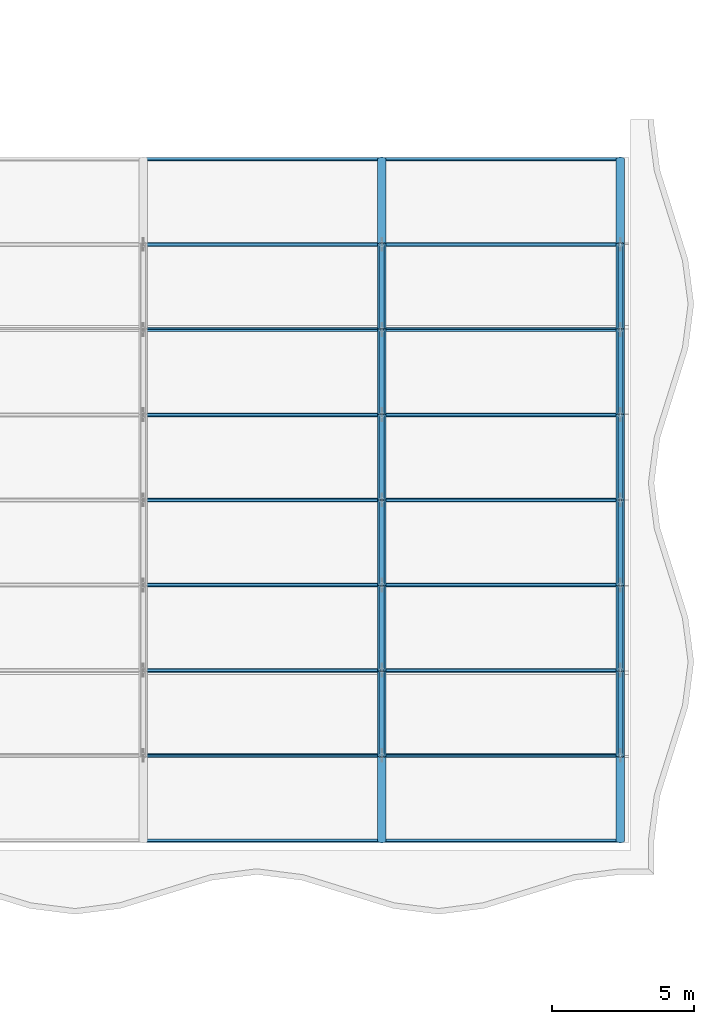
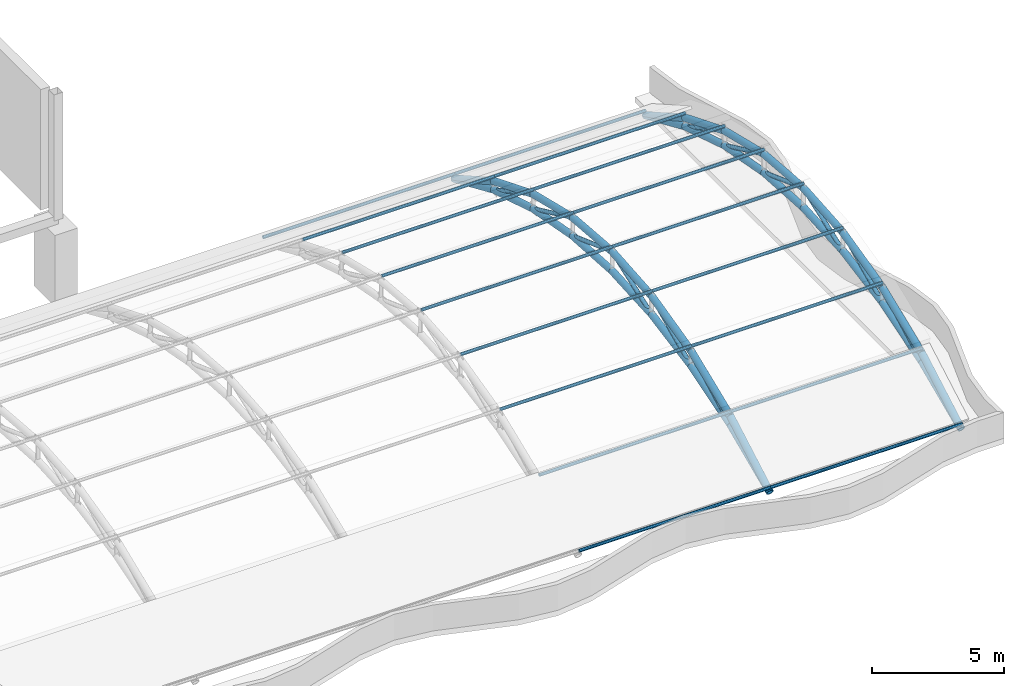
# One storey, part 64 of 163: 62 members.
"""IFC4 building model written with IfcOpenShell, lengths in metres."""

from ifc_helpers import new_model, si_unit, direction, frame, origin, origin_2d, place, context, subcontext, project, spatial, hollow_circle, extrude, material, material_profile, profile_set, type_object, element, save


model = new_model("IFC4")

# Units and contexts
model_context = context("Model", 3, precision=1e-05, world=origin(), true_north=direction((0.0, 1.0)))
body_context = subcontext(model_context, "Body", "Model", "MODEL_VIEW")
ifc_project = project(units=[si_unit("LENGTHUNIT", "METRE"), si_unit("AREAUNIT", "SQUARE_METRE"), si_unit("VOLUMEUNIT", "CUBIC_METRE"), si_unit("PLANEANGLEUNIT", "RADIAN"), si_unit("MASSUNIT", "GRAM", prefix="KILO")], contexts=[model_context])

# Site, building, storey
site_placement = place(None, origin())
site = spatial("IfcSite", under=ifc_project, at=site_placement, CompositionType="ELEMENT")
building_placement = place(site_placement, origin())
building = spatial("IfcBuilding", under=site, at=building_placement, Name="Rain Tree Exposition and Congress Centre", CompositionType="ELEMENT")
storey_placement = place(building_placement, frame((0.0, 0.0, 10.5)))
storey = spatial("IfcBuildingStorey", under=building, at=storey_placement, Name="L02", CompositionType="ELEMENT", Elevation=10.5)

# Members
ifc_material_1 = material(Name="Steel S355J2H", Category="steel")
ifc_material_profile_1 = material_profile(ifc_material_1, hollow_circle(Radius=0.090087890625, WallThickness=0.008056640625, at=origin_2d()), Name="CHS 180x8")
ifc_profile_set_1 = profile_set([ifc_material_profile_1], Name="Steel S355J2H")
member_type_1 = type_object("IfcMemberType", Name="Steel brace member CHS 180x8", PredefinedType="BRACE", material=ifc_profile_set_1)
member_1_placement = place(storey_placement, frame((260.39990234375, 78.60009765625, 1.4423828125), z_axis=(0.0, 0.880818418444, 0.473454236151), x_axis=(-1.0, 0.0, 0.0)))
element("IfcMember", 1, at=member_1_placement, inside=storey, type_object=member_type_1, Name="Roof truss 32 diagonal 1", PredefinedType="BRACE", context=body_context, shape_type="SweptSolid", body=[
    extrude(hollow_circle(Radius=0.090087890625, WallThickness=0.008056640625, at=origin_2d()), origin(), (0.0, 0.0, 1.0), 3.406005859375),
])
member_2_placement = place(storey_placement, frame((260.39990234375, 81.60009765625, 2.3798828125), z_axis=(0.0, 0.905430616583, 0.424494285655), x_axis=(-1.0, 0.0, 0.0)))
element("IfcMember", 2, at=member_2_placement, inside=storey, type_object=member_type_1, Name="Roof truss 32 diagonal 2", PredefinedType="BRACE", context=body_context, shape_type="SweptSolid", body=[
    extrude(hollow_circle(Radius=0.090087890625, WallThickness=0.008056640625, at=origin_2d()), origin(), (0.0, 0.0, 1.0), 3.313232421875),
])
for number, where, z_axis, x_axis, name in (
    (3, (260.39990234375, 84.60009765625, 2.9423828125), (0.0, 0.940121356633, 0.340839896143), (-1.0, 0.0, 0.0), "Roof truss 32 diagonal 3"),
    (4, (260.39990234375, 90.60009765625, 2.9423828125), (0.0, -0.940121356633, 0.340839896143), (1.0, 0.0, 0.0), "Roof truss 32 diagonal 4"),
):
    element("IfcMember", number, at=place(storey_placement, frame(where, z_axis=z_axis, x_axis=x_axis)), inside=storey, type_object=member_type_1, Name=name, PredefinedType="BRACE", context=body_context, shape_type="SweptSolid", body=[
        extrude(hollow_circle(Radius=0.090087890625, WallThickness=0.008056640625, at=origin_2d()), origin(), (0.0, 0.0, 1.0), 3.191162109375),
    ])
member_3_placement = place(storey_placement, frame((260.39990234375, 93.60009765625, 2.3798828125), z_axis=(0.0, -0.905430616583, 0.424494285655), x_axis=(1.0, 0.0, 0.0)))
element("IfcMember", 5, at=member_3_placement, inside=storey, type_object=member_type_1, Name="Roof truss 32 diagonal 5", PredefinedType="BRACE", context=body_context, shape_type="SweptSolid", body=[
    extrude(hollow_circle(Radius=0.090087890625, WallThickness=0.008056640625, at=origin_2d()), origin(), (0.0, 0.0, 1.0), 3.313232421875),
])
for number, where, z_axis, x_axis, name in (
    (6, (260.39990234375, 96.60009765625, 1.4423828125), (0.0, -0.880818418444, 0.473454236151), (1.0, 0.0, 0.0), "Roof truss 32 diagonal 6"),
    (7, (268.800048828125, 78.60009765625, 1.4423828125), (0.0, 0.880818418444, 0.473454236151), (-1.0, 0.0, 0.0), "Roof truss 33 diagonal 1"),
):
    element("IfcMember", number, at=place(storey_placement, frame(where, z_axis=z_axis, x_axis=x_axis)), inside=storey, type_object=member_type_1, Name=name, PredefinedType="BRACE", context=body_context, shape_type="SweptSolid", body=[
        extrude(hollow_circle(Radius=0.090087890625, WallThickness=0.008056640625, at=origin_2d()), origin(), (0.0, 0.0, 1.0), 3.406005859375),
    ])
member_4_placement = place(storey_placement, frame((268.800048828125, 81.60009765625, 2.3798828125), z_axis=(0.0, 0.905430616583, 0.424494285655), x_axis=(-1.0, 0.0, 0.0)))
element("IfcMember", 8, at=member_4_placement, inside=storey, type_object=member_type_1, Name="Roof truss 33 diagonal 2", PredefinedType="BRACE", context=body_context, shape_type="SweptSolid", body=[
    extrude(hollow_circle(Radius=0.090087890625, WallThickness=0.008056640625, at=origin_2d()), origin(), (0.0, 0.0, 1.0), 3.313232421875),
])
for number, where, z_axis, x_axis, name in (
    (9, (268.800048828125, 84.60009765625, 2.9423828125), (0.0, 0.940121356633, 0.340839896143), (-1.0, 0.0, 0.0), "Roof truss 33 diagonal 3"),
    (10, (268.800048828125, 90.60009765625, 2.9423828125), (0.0, -0.940121356633, 0.340839896143), (1.0, 0.0, 0.0), "Roof truss 33 diagonal 4"),
):
    element("IfcMember", number, at=place(storey_placement, frame(where, z_axis=z_axis, x_axis=x_axis)), inside=storey, type_object=member_type_1, Name=name, PredefinedType="BRACE", context=body_context, shape_type="SweptSolid", body=[
        extrude(hollow_circle(Radius=0.090087890625, WallThickness=0.008056640625, at=origin_2d()), origin(), (0.0, 0.0, 1.0), 3.191162109375),
    ])
member_5_placement = place(storey_placement, frame((268.800048828125, 93.60009765625, 2.3798828125), z_axis=(0.0, -0.905430616583, 0.424494285655), x_axis=(1.0, 0.0, 0.0)))
element("IfcMember", 11, at=member_5_placement, inside=storey, type_object=member_type_1, Name="Roof truss 33 diagonal 5", PredefinedType="BRACE", context=body_context, shape_type="SweptSolid", body=[
    extrude(hollow_circle(Radius=0.090087890625, WallThickness=0.008056640625, at=origin_2d()), origin(), (0.0, 0.0, 1.0), 3.313232421875),
])
member_6_placement = place(storey_placement, frame((268.800048828125, 96.60009765625, 1.4423828125), z_axis=(0.0, -0.880818418444, 0.473454236151), x_axis=(1.0, 0.0, 0.0)))
element("IfcMember", 12, at=member_6_placement, inside=storey, type_object=member_type_1, Name="Roof truss 33 diagonal 6", PredefinedType="BRACE", context=body_context, shape_type="SweptSolid", body=[
    extrude(hollow_circle(Radius=0.090087890625, WallThickness=0.008056640625, at=origin_2d()), origin(), (0.0, 0.0, 1.0), 3.406005859375),
])
ifc_material_2 = material(Name="Steel S355J2H", Category="steel")
ifc_material_profile_2 = material_profile(ifc_material_2, hollow_circle(Radius=0.14990234375, WallThickness=0.013916015625, at=origin_2d()), Name="CHS 300x14")
ifc_profile_set_2 = profile_set([ifc_material_profile_2], Name="Steel S355J2H")
member_type_2 = type_object("IfcMemberType", Name="Steel chord member CHS 300x14", PredefinedType="CHORD", material=ifc_profile_set_2)
member_7_placement = place(storey_placement, frame((260.39990234375, 75.60009765625, 0.1298828125), z_axis=(0.0, 0.869238262324, 0.494393409455), x_axis=(-1.0, 0.0, 0.0)))
element("IfcMember", 13, at=member_7_placement, inside=storey, type_object=member_type_2, Name="Roof truss 32 top chord 1", PredefinedType="CHORD", context=body_context, shape_type="SweptSolid", body=[
    extrude(hollow_circle(Radius=0.14990234375, WallThickness=0.013916015625, at=origin_2d()), origin(), (0.0, 0.0, 1.0), 3.451416015625),
])
member_8_placement = place(storey_placement, frame((260.39990234375, 75.60009765625, 0.1298828125), z_axis=(0.0, 0.916157334902, 0.40081883402), x_axis=(-1.0, 0.0, 0.0)))
element("IfcMember", 14, at=member_8_placement, inside=storey, type_object=member_type_2, Name="Roof truss 32 bottom chord 1", PredefinedType="CHORD", context=body_context, shape_type="SweptSolid", body=[
    extrude(hollow_circle(Radius=0.14990234375, WallThickness=0.013916015625, at=origin_2d()), origin(), (0.0, 0.0, 1.0), 3.274658203125),
])
member_9_placement = place(storey_placement, frame((260.39990234375, 78.60009765625, 1.836181640625), z_axis=(0.0, 0.926466577122, 0.376377046956), x_axis=(-1.0, 0.0, 0.0)))
element("IfcMember", 15, at=member_9_placement, inside=storey, type_object=member_type_2, Name="Roof truss 32 top chord 2", PredefinedType="CHORD", context=body_context, shape_type="SweptSolid", body=[
    extrude(hollow_circle(Radius=0.14990234375, WallThickness=0.013916015625, at=origin_2d()), origin(), (0.0, 0.0, 1.0), 3.238037109375),
])
member_10_placement = place(storey_placement, frame((260.39990234375, 78.60009765625, 1.4423828125), z_axis=(0.0, 0.954479978035, 0.298274993136), x_axis=(-1.0, 0.0, 0.0)))
element("IfcMember", 16, at=member_10_placement, inside=storey, type_object=member_type_2, Name="Roof truss 32 bottom chord 2", PredefinedType="CHORD", context=body_context, shape_type="SweptSolid", body=[
    extrude(hollow_circle(Radius=0.14990234375, WallThickness=0.013916015625, at=origin_2d()), origin(), (0.0, 0.0, 1.0), 3.14306640625),
])
member_11_placement = place(storey_placement, frame((260.39990234375, 81.60009765625, 3.054931640625), z_axis=(0.0, 0.971539868448, 0.236876094228), x_axis=(-1.0, 0.0, 0.0)))
element("IfcMember", 17, at=member_11_placement, inside=storey, type_object=member_type_2, Name="Roof truss 32 top chord 3", PredefinedType="CHORD", context=body_context, shape_type="SweptSolid", body=[
    extrude(hollow_circle(Radius=0.14990234375, WallThickness=0.013916015625, at=origin_2d()), origin(), (0.0, 0.0, 1.0), 3.087890625),
])
member_12_placement = place(storey_placement, frame((260.39990234375, 81.60009765625, 2.3798828125), z_axis=(0.0, 0.982872186934, 0.18428853505), x_axis=(-1.0, 0.0, 0.0)))
element("IfcMember", 18, at=member_12_placement, inside=storey, type_object=member_type_2, Name="Roof truss 32 bottom chord 3", PredefinedType="CHORD", context=body_context, shape_type="SweptSolid", body=[
    extrude(hollow_circle(Radius=0.14990234375, WallThickness=0.013916015625, at=origin_2d()), origin(), (0.0, 0.0, 1.0), 3.05224609375),
])
member_13_placement = place(storey_placement, frame((260.39990234375, 84.60009765625, 3.786376953125), z_axis=(0.0, 0.996718090462, 0.0809508996), x_axis=(-1.0, 0.0, 0.0)))
element("IfcMember", 19, at=member_13_placement, inside=storey, type_object=member_type_2, Name="Roof truss 32 top chord 4", PredefinedType="CHORD", context=body_context, shape_type="SweptSolid", body=[
    extrude(hollow_circle(Radius=0.14990234375, WallThickness=0.013916015625, at=origin_2d()), origin(), (0.0, 0.0, 1.0), 3.009765625),
])
member_14_placement = place(storey_placement, frame((260.39990234375, 84.60009765625, 2.9423828125), z_axis=(0.0, 0.998052578483, 0.062378286155), x_axis=(-1.0, 0.0, 0.0)))
element("IfcMember", 20, at=member_14_placement, inside=storey, type_object=member_type_2, Name="Roof truss 32 bottom chord 4", PredefinedType="CHORD", context=body_context, shape_type="SweptSolid", body=[
    extrude(hollow_circle(Radius=0.14990234375, WallThickness=0.013916015625, at=origin_2d()), origin(), (0.0, 0.0, 1.0), 3.005859375),
])
member_15_placement = place(storey_placement, frame((260.39990234375, 87.60009765625, 4.030029296875), z_axis=(0.0, 0.996718090462, -0.0809508996), x_axis=(-1.0, 0.0, 0.0)))
element("IfcMember", 21, at=member_15_placement, inside=storey, type_object=member_type_2, Name="Roof truss 32 top chord 5", PredefinedType="CHORD", context=body_context, shape_type="SweptSolid", body=[
    extrude(hollow_circle(Radius=0.14990234375, WallThickness=0.013916015625, at=origin_2d()), origin(), (0.0, 0.0, 1.0), 3.009765625),
])
member_16_placement = place(storey_placement, frame((260.39990234375, 87.60009765625, 3.1298828125), z_axis=(0.0, 0.998052578483, -0.062378286155), x_axis=(-1.0, 0.0, 0.0)))
element("IfcMember", 22, at=member_16_placement, inside=storey, type_object=member_type_2, Name="Roof truss 32 bottom chord 5", PredefinedType="CHORD", context=body_context, shape_type="SweptSolid", body=[
    extrude(hollow_circle(Radius=0.14990234375, WallThickness=0.013916015625, at=origin_2d()), origin(), (0.0, 0.0, 1.0), 3.005859375),
])
member_17_placement = place(storey_placement, frame((260.39990234375, 90.60009765625, 3.786376953125), z_axis=(0.0, 0.971539868448, -0.236876094228), x_axis=(-1.0, 0.0, 0.0)))
element("IfcMember", 23, at=member_17_placement, inside=storey, type_object=member_type_2, Name="Roof truss 32 top chord 6", PredefinedType="CHORD", context=body_context, shape_type="SweptSolid", body=[
    extrude(hollow_circle(Radius=0.14990234375, WallThickness=0.013916015625, at=origin_2d()), origin(), (0.0, 0.0, 1.0), 3.087890625),
])
member_18_placement = place(storey_placement, frame((260.39990234375, 90.60009765625, 2.9423828125), z_axis=(0.0, 0.982872186934, -0.18428853505), x_axis=(-1.0, 0.0, 0.0)))
element("IfcMember", 24, at=member_18_placement, inside=storey, type_object=member_type_2, Name="Roof truss 32 bottom chord 6", PredefinedType="CHORD", context=body_context, shape_type="SweptSolid", body=[
    extrude(hollow_circle(Radius=0.14990234375, WallThickness=0.013916015625, at=origin_2d()), origin(), (0.0, 0.0, 1.0), 3.05224609375),
])
member_19_placement = place(storey_placement, frame((260.39990234375, 93.60009765625, 3.054931640625), z_axis=(0.0, 0.926466577122, -0.376377046956), x_axis=(-1.0, 0.0, 0.0)))
element("IfcMember", 25, at=member_19_placement, inside=storey, type_object=member_type_2, Name="Roof truss 32 top chord 7", PredefinedType="CHORD", context=body_context, shape_type="SweptSolid", body=[
    extrude(hollow_circle(Radius=0.14990234375, WallThickness=0.013916015625, at=origin_2d()), origin(), (0.0, 0.0, 1.0), 3.238037109375),
])
member_20_placement = place(storey_placement, frame((260.39990234375, 93.60009765625, 2.3798828125), z_axis=(0.0, 0.954479978035, -0.298274993136), x_axis=(-1.0, 0.0, 0.0)))
element("IfcMember", 26, at=member_20_placement, inside=storey, type_object=member_type_2, Name="Roof truss 32 bottom chord 7", PredefinedType="CHORD", context=body_context, shape_type="SweptSolid", body=[
    extrude(hollow_circle(Radius=0.14990234375, WallThickness=0.013916015625, at=origin_2d()), origin(), (0.0, 0.0, 1.0), 3.14306640625),
])
member_21_placement = place(storey_placement, frame((260.39990234375, 96.60009765625, 1.836181640625), z_axis=(0.0, 0.869238262324, -0.494393409455), x_axis=(-1.0, 0.0, 0.0)))
element("IfcMember", 27, at=member_21_placement, inside=storey, type_object=member_type_2, Name="Roof truss 32 top chord 8", PredefinedType="CHORD", context=body_context, shape_type="SweptSolid", body=[
    extrude(hollow_circle(Radius=0.14990234375, WallThickness=0.013916015625, at=origin_2d()), origin(), (0.0, 0.0, 1.0), 3.451416015625),
])
member_22_placement = place(storey_placement, frame((260.39990234375, 96.60009765625, 1.4423828125), z_axis=(0.0, 0.916157334902, -0.40081883402), x_axis=(-1.0, 0.0, 0.0)))
element("IfcMember", 28, at=member_22_placement, inside=storey, type_object=member_type_2, Name="Roof truss 32 bottom chord 8", PredefinedType="CHORD", context=body_context, shape_type="SweptSolid", body=[
    extrude(hollow_circle(Radius=0.14990234375, WallThickness=0.013916015625, at=origin_2d()), origin(), (0.0, 0.0, 1.0), 3.274658203125),
])
member_23_placement = place(storey_placement, frame((268.800048828125, 75.60009765625, 0.1298828125), z_axis=(0.0, 0.869238262324, 0.494393409455), x_axis=(-1.0, 0.0, 0.0)))
element("IfcMember", 29, at=member_23_placement, inside=storey, type_object=member_type_2, Name="Roof truss 33 top chord 1", PredefinedType="CHORD", context=body_context, shape_type="SweptSolid", body=[
    extrude(hollow_circle(Radius=0.14990234375, WallThickness=0.013916015625, at=origin_2d()), origin(), (0.0, 0.0, 1.0), 3.451416015625),
])
member_24_placement = place(storey_placement, frame((268.800048828125, 75.60009765625, 0.1298828125), z_axis=(0.0, 0.916157334902, 0.40081883402), x_axis=(-1.0, 0.0, 0.0)))
element("IfcMember", 30, at=member_24_placement, inside=storey, type_object=member_type_2, Name="Roof truss 33 bottom chord 1", PredefinedType="CHORD", context=body_context, shape_type="SweptSolid", body=[
    extrude(hollow_circle(Radius=0.14990234375, WallThickness=0.013916015625, at=origin_2d()), origin(), (0.0, 0.0, 1.0), 3.274658203125),
])
member_25_placement = place(storey_placement, frame((268.800048828125, 78.60009765625, 1.836181640625), z_axis=(0.0, 0.926466577122, 0.376377046956), x_axis=(-1.0, 0.0, 0.0)))
element("IfcMember", 31, at=member_25_placement, inside=storey, type_object=member_type_2, Name="Roof truss 33 top chord 2", PredefinedType="CHORD", context=body_context, shape_type="SweptSolid", body=[
    extrude(hollow_circle(Radius=0.14990234375, WallThickness=0.013916015625, at=origin_2d()), origin(), (0.0, 0.0, 1.0), 3.238037109375),
])
member_26_placement = place(storey_placement, frame((268.800048828125, 78.60009765625, 1.4423828125), z_axis=(0.0, 0.954479978035, 0.298274993136), x_axis=(-1.0, 0.0, 0.0)))
element("IfcMember", 32, at=member_26_placement, inside=storey, type_object=member_type_2, Name="Roof truss 33 bottom chord 2", PredefinedType="CHORD", context=body_context, shape_type="SweptSolid", body=[
    extrude(hollow_circle(Radius=0.14990234375, WallThickness=0.013916015625, at=origin_2d()), origin(), (0.0, 0.0, 1.0), 3.14306640625),
])
member_27_placement = place(storey_placement, frame((268.800048828125, 81.60009765625, 3.054931640625), z_axis=(0.0, 0.971539868448, 0.236876094228), x_axis=(-1.0, 0.0, 0.0)))
element("IfcMember", 33, at=member_27_placement, inside=storey, type_object=member_type_2, Name="Roof truss 33 top chord 3", PredefinedType="CHORD", context=body_context, shape_type="SweptSolid", body=[
    extrude(hollow_circle(Radius=0.14990234375, WallThickness=0.013916015625, at=origin_2d()), origin(), (0.0, 0.0, 1.0), 3.087890625),
])
member_28_placement = place(storey_placement, frame((268.800048828125, 81.60009765625, 2.3798828125), z_axis=(0.0, 0.982872186934, 0.18428853505), x_axis=(-1.0, 0.0, 0.0)))
element("IfcMember", 34, at=member_28_placement, inside=storey, type_object=member_type_2, Name="Roof truss 33 bottom chord 3", PredefinedType="CHORD", context=body_context, shape_type="SweptSolid", body=[
    extrude(hollow_circle(Radius=0.14990234375, WallThickness=0.013916015625, at=origin_2d()), origin(), (0.0, 0.0, 1.0), 3.05224609375),
])
member_29_placement = place(storey_placement, frame((268.800048828125, 84.60009765625, 3.786376953125), z_axis=(0.0, 0.996718090462, 0.0809508996), x_axis=(-1.0, 0.0, 0.0)))
element("IfcMember", 35, at=member_29_placement, inside=storey, type_object=member_type_2, Name="Roof truss 33 top chord 4", PredefinedType="CHORD", context=body_context, shape_type="SweptSolid", body=[
    extrude(hollow_circle(Radius=0.14990234375, WallThickness=0.013916015625, at=origin_2d()), origin(), (0.0, 0.0, 1.0), 3.009765625),
])
member_30_placement = place(storey_placement, frame((268.800048828125, 84.60009765625, 2.9423828125), z_axis=(0.0, 0.998052578483, 0.062378286155), x_axis=(-1.0, 0.0, 0.0)))
element("IfcMember", 36, at=member_30_placement, inside=storey, type_object=member_type_2, Name="Roof truss 33 bottom chord 4", PredefinedType="CHORD", context=body_context, shape_type="SweptSolid", body=[
    extrude(hollow_circle(Radius=0.14990234375, WallThickness=0.013916015625, at=origin_2d()), origin(), (0.0, 0.0, 1.0), 3.005859375),
])
member_31_placement = place(storey_placement, frame((268.800048828125, 87.60009765625, 4.030029296875), z_axis=(0.0, 0.996718090462, -0.0809508996), x_axis=(-1.0, 0.0, 0.0)))
element("IfcMember", 37, at=member_31_placement, inside=storey, type_object=member_type_2, Name="Roof truss 33 top chord 5", PredefinedType="CHORD", context=body_context, shape_type="SweptSolid", body=[
    extrude(hollow_circle(Radius=0.14990234375, WallThickness=0.013916015625, at=origin_2d()), origin(), (0.0, 0.0, 1.0), 3.009765625),
])
member_32_placement = place(storey_placement, frame((268.800048828125, 87.60009765625, 3.1298828125), z_axis=(0.0, 0.998052578483, -0.062378286155), x_axis=(-1.0, 0.0, 0.0)))
element("IfcMember", 38, at=member_32_placement, inside=storey, type_object=member_type_2, Name="Roof truss 33 bottom chord 5", PredefinedType="CHORD", context=body_context, shape_type="SweptSolid", body=[
    extrude(hollow_circle(Radius=0.14990234375, WallThickness=0.013916015625, at=origin_2d()), origin(), (0.0, 0.0, 1.0), 3.005859375),
])
member_33_placement = place(storey_placement, frame((268.800048828125, 90.60009765625, 3.786376953125), z_axis=(0.0, 0.971539868448, -0.236876094228), x_axis=(-1.0, 0.0, 0.0)))
element("IfcMember", 39, at=member_33_placement, inside=storey, type_object=member_type_2, Name="Roof truss 33 top chord 6", PredefinedType="CHORD", context=body_context, shape_type="SweptSolid", body=[
    extrude(hollow_circle(Radius=0.14990234375, WallThickness=0.013916015625, at=origin_2d()), origin(), (0.0, 0.0, 1.0), 3.087890625),
])
member_34_placement = place(storey_placement, frame((268.800048828125, 90.60009765625, 2.9423828125), z_axis=(0.0, 0.982872186934, -0.18428853505), x_axis=(-1.0, 0.0, 0.0)))
element("IfcMember", 40, at=member_34_placement, inside=storey, type_object=member_type_2, Name="Roof truss 33 bottom chord 6", PredefinedType="CHORD", context=body_context, shape_type="SweptSolid", body=[
    extrude(hollow_circle(Radius=0.14990234375, WallThickness=0.013916015625, at=origin_2d()), origin(), (0.0, 0.0, 1.0), 3.05224609375),
])
member_35_placement = place(storey_placement, frame((268.800048828125, 93.60009765625, 3.054931640625), z_axis=(0.0, 0.926466577122, -0.376377046956), x_axis=(-1.0, 0.0, 0.0)))
element("IfcMember", 41, at=member_35_placement, inside=storey, type_object=member_type_2, Name="Roof truss 33 top chord 7", PredefinedType="CHORD", context=body_context, shape_type="SweptSolid", body=[
    extrude(hollow_circle(Radius=0.14990234375, WallThickness=0.013916015625, at=origin_2d()), origin(), (0.0, 0.0, 1.0), 3.238037109375),
])
member_36_placement = place(storey_placement, frame((268.800048828125, 93.60009765625, 2.3798828125), z_axis=(0.0, 0.954479978035, -0.298274993136), x_axis=(-1.0, 0.0, 0.0)))
element("IfcMember", 42, at=member_36_placement, inside=storey, type_object=member_type_2, Name="Roof truss 33 bottom chord 7", PredefinedType="CHORD", context=body_context, shape_type="SweptSolid", body=[
    extrude(hollow_circle(Radius=0.14990234375, WallThickness=0.013916015625, at=origin_2d()), origin(), (0.0, 0.0, 1.0), 3.14306640625),
])
member_37_placement = place(storey_placement, frame((268.800048828125, 96.60009765625, 1.836181640625), z_axis=(0.0, 0.869238262324, -0.494393409455), x_axis=(-1.0, 0.0, 0.0)))
element("IfcMember", 43, at=member_37_placement, inside=storey, type_object=member_type_2, Name="Roof truss 33 top chord 8", PredefinedType="CHORD", context=body_context, shape_type="SweptSolid", body=[
    extrude(hollow_circle(Radius=0.14990234375, WallThickness=0.013916015625, at=origin_2d()), origin(), (0.0, 0.0, 1.0), 3.451416015625),
])
member_38_placement = place(storey_placement, frame((268.800048828125, 96.60009765625, 1.4423828125), z_axis=(0.0, 0.916157334902, -0.40081883402), x_axis=(-1.0, 0.0, 0.0)))
element("IfcMember", 44, at=member_38_placement, inside=storey, type_object=member_type_2, Name="Roof truss 33 bottom chord 8", PredefinedType="CHORD", context=body_context, shape_type="SweptSolid", body=[
    extrude(hollow_circle(Radius=0.14990234375, WallThickness=0.013916015625, at=origin_2d()), origin(), (0.0, 0.0, 1.0), 3.274658203125),
])
ifc_material_3 = material(Name="Steel S355J2H", Category="steel")
ifc_material_profile_3 = material_profile(ifc_material_3, hollow_circle(Radius=0.070068359375, WallThickness=0.006103515625, at=origin_2d()), Name="CHS 140x6")
ifc_profile_set_3 = profile_set([ifc_material_profile_3], Name="Steel S355J2H")
member_type_3 = type_object("IfcMemberType", Name="Steel purlin member CHS 140x6", PredefinedType="PURLIN", material=ifc_profile_set_3)
member_39_placement = place(storey_placement, frame((252.0, 75.60009765625, 0.35009765625), z_axis=(1.0, 0.0, 0.0), x_axis=(0.0, 1.0, 0.0)))
element("IfcMember", 45, at=member_39_placement, inside=storey, type_object=member_type_3, Name="Roof purlin 1.31", PredefinedType="PURLIN", context=body_context, shape_type="SweptSolid", body=[
    extrude(hollow_circle(Radius=0.070068359375, WallThickness=0.006103515625, at=origin_2d()), origin(), (0.0, 0.0, 1.0), 8.39990234375),
])
member_40_placement = place(storey_placement, frame((260.39990234375, 75.60009765625, 0.35009765625), z_axis=(1.0, 0.0, 0.0), x_axis=(0.0, 1.0, 0.0)))
element("IfcMember", 46, at=member_40_placement, inside=storey, type_object=member_type_3, Name="Roof purlin 1.32", PredefinedType="PURLIN", context=body_context, shape_type="SweptSolid", body=[
    extrude(hollow_circle(Radius=0.070068359375, WallThickness=0.006103515625, at=origin_2d()), origin(), (0.0, 0.0, 1.0), 8.400146484375),
])
member_41_placement = place(storey_placement, frame((252.0, 78.60009765625, 2.056396484375), z_axis=(1.0, 0.0, 0.0), x_axis=(0.0, 1.0, 0.0)))
element("IfcMember", 47, at=member_41_placement, inside=storey, type_object=member_type_3, Name="Roof purlin 2.31", PredefinedType="PURLIN", context=body_context, shape_type="SweptSolid", body=[
    extrude(hollow_circle(Radius=0.070068359375, WallThickness=0.006103515625, at=origin_2d()), origin(), (0.0, 0.0, 1.0), 8.39990234375),
])
member_42_placement = place(storey_placement, frame((260.39990234375, 78.60009765625, 2.056396484375), z_axis=(1.0, 0.0, 0.0), x_axis=(0.0, 1.0, 0.0)))
element("IfcMember", 48, at=member_42_placement, inside=storey, type_object=member_type_3, Name="Roof purlin 2.32", PredefinedType="PURLIN", context=body_context, shape_type="SweptSolid", body=[
    extrude(hollow_circle(Radius=0.070068359375, WallThickness=0.006103515625, at=origin_2d()), origin(), (0.0, 0.0, 1.0), 8.400146484375),
])
member_43_placement = place(storey_placement, frame((252.0, 81.60009765625, 3.27490234375), z_axis=(1.0, 0.0, 0.0), x_axis=(0.0, 1.0, 0.0)))
element("IfcMember", 49, at=member_43_placement, inside=storey, type_object=member_type_3, Name="Roof purlin 3.31", PredefinedType="PURLIN", context=body_context, shape_type="SweptSolid", body=[
    extrude(hollow_circle(Radius=0.070068359375, WallThickness=0.006103515625, at=origin_2d()), origin(), (0.0, 0.0, 1.0), 8.39990234375),
])
member_44_placement = place(storey_placement, frame((260.39990234375, 81.60009765625, 3.27490234375), z_axis=(1.0, 0.0, 0.0), x_axis=(0.0, 1.0, 0.0)))
element("IfcMember", 50, at=member_44_placement, inside=storey, type_object=member_type_3, Name="Roof purlin 3.32", PredefinedType="PURLIN", context=body_context, shape_type="SweptSolid", body=[
    extrude(hollow_circle(Radius=0.070068359375, WallThickness=0.006103515625, at=origin_2d()), origin(), (0.0, 0.0, 1.0), 8.400146484375),
])
member_45_placement = place(storey_placement, frame((252.0, 84.60009765625, 4.00634765625), z_axis=(1.0, 0.0, 0.0), x_axis=(0.0, 1.0, 0.0)))
element("IfcMember", 51, at=member_45_placement, inside=storey, type_object=member_type_3, Name="Roof purlin 4.31", PredefinedType="PURLIN", context=body_context, shape_type="SweptSolid", body=[
    extrude(hollow_circle(Radius=0.070068359375, WallThickness=0.006103515625, at=origin_2d()), origin(), (0.0, 0.0, 1.0), 8.39990234375),
])
member_46_placement = place(storey_placement, frame((260.39990234375, 84.60009765625, 4.00634765625), z_axis=(1.0, 0.0, 0.0), x_axis=(0.0, 1.0, 0.0)))
element("IfcMember", 52, at=member_46_placement, inside=storey, type_object=member_type_3, Name="Roof purlin 4.32", PredefinedType="PURLIN", context=body_context, shape_type="SweptSolid", body=[
    extrude(hollow_circle(Radius=0.070068359375, WallThickness=0.006103515625, at=origin_2d()), origin(), (0.0, 0.0, 1.0), 8.400146484375),
])
member_47_placement = place(storey_placement, frame((252.0, 87.60009765625, 4.25), z_axis=(1.0, 0.0, 0.0), x_axis=(0.0, 1.0, 0.0)))
element("IfcMember", 53, at=member_47_placement, inside=storey, type_object=member_type_3, Name="Roof purlin 5.31", PredefinedType="PURLIN", context=body_context, shape_type="SweptSolid", body=[
    extrude(hollow_circle(Radius=0.070068359375, WallThickness=0.006103515625, at=origin_2d()), origin(), (0.0, 0.0, 1.0), 8.39990234375),
])
member_48_placement = place(storey_placement, frame((260.39990234375, 87.60009765625, 4.25), z_axis=(1.0, 0.0, 0.0), x_axis=(0.0, 1.0, 0.0)))
element("IfcMember", 54, at=member_48_placement, inside=storey, type_object=member_type_3, Name="Roof purlin 5.32", PredefinedType="PURLIN", context=body_context, shape_type="SweptSolid", body=[
    extrude(hollow_circle(Radius=0.070068359375, WallThickness=0.006103515625, at=origin_2d()), origin(), (0.0, 0.0, 1.0), 8.400146484375),
])
member_49_placement = place(storey_placement, frame((252.0, 90.60009765625, 4.00634765625), z_axis=(1.0, 0.0, 0.0), x_axis=(0.0, 1.0, 0.0)))
element("IfcMember", 55, at=member_49_placement, inside=storey, type_object=member_type_3, Name="Roof purlin 6.31", PredefinedType="PURLIN", context=body_context, shape_type="SweptSolid", body=[
    extrude(hollow_circle(Radius=0.070068359375, WallThickness=0.006103515625, at=origin_2d()), origin(), (0.0, 0.0, 1.0), 8.39990234375),
])
member_50_placement = place(storey_placement, frame((260.39990234375, 90.60009765625, 4.00634765625), z_axis=(1.0, 0.0, 0.0), x_axis=(0.0, 1.0, 0.0)))
element("IfcMember", 56, at=member_50_placement, inside=storey, type_object=member_type_3, Name="Roof purlin 6.32", PredefinedType="PURLIN", context=body_context, shape_type="SweptSolid", body=[
    extrude(hollow_circle(Radius=0.070068359375, WallThickness=0.006103515625, at=origin_2d()), origin(), (0.0, 0.0, 1.0), 8.400146484375),
])
member_51_placement = place(storey_placement, frame((252.0, 93.60009765625, 3.27490234375), z_axis=(1.0, 0.0, 0.0), x_axis=(0.0, 1.0, 0.0)))
element("IfcMember", 57, at=member_51_placement, inside=storey, type_object=member_type_3, Name="Roof purlin 7.31", PredefinedType="PURLIN", context=body_context, shape_type="SweptSolid", body=[
    extrude(hollow_circle(Radius=0.070068359375, WallThickness=0.006103515625, at=origin_2d()), origin(), (0.0, 0.0, 1.0), 8.39990234375),
])
member_52_placement = place(storey_placement, frame((260.39990234375, 93.60009765625, 3.27490234375), z_axis=(1.0, 0.0, 0.0), x_axis=(0.0, 1.0, 0.0)))
element("IfcMember", 58, at=member_52_placement, inside=storey, type_object=member_type_3, Name="Roof purlin 7.32", PredefinedType="PURLIN", context=body_context, shape_type="SweptSolid", body=[
    extrude(hollow_circle(Radius=0.070068359375, WallThickness=0.006103515625, at=origin_2d()), origin(), (0.0, 0.0, 1.0), 8.400146484375),
])
member_53_placement = place(storey_placement, frame((252.0, 96.60009765625, 2.056396484375), z_axis=(1.0, 0.0, 0.0), x_axis=(0.0, 1.0, 0.0)))
element("IfcMember", 59, at=member_53_placement, inside=storey, type_object=member_type_3, Name="Roof purlin 8.31", PredefinedType="PURLIN", context=body_context, shape_type="SweptSolid", body=[
    extrude(hollow_circle(Radius=0.070068359375, WallThickness=0.006103515625, at=origin_2d()), origin(), (0.0, 0.0, 1.0), 8.39990234375),
])
member_54_placement = place(storey_placement, frame((260.39990234375, 96.60009765625, 2.056396484375), z_axis=(1.0, 0.0, 0.0), x_axis=(0.0, 1.0, 0.0)))
element("IfcMember", 60, at=member_54_placement, inside=storey, type_object=member_type_3, Name="Roof purlin 8.32", PredefinedType="PURLIN", context=body_context, shape_type="SweptSolid", body=[
    extrude(hollow_circle(Radius=0.070068359375, WallThickness=0.006103515625, at=origin_2d()), origin(), (0.0, 0.0, 1.0), 8.400146484375),
])
member_55_placement = place(storey_placement, frame((252.0, 99.60009765625, 0.35009765625), z_axis=(1.0, 0.0, 0.0), x_axis=(0.0, 1.0, 0.0)))
element("IfcMember", 61, at=member_55_placement, inside=storey, type_object=member_type_3, Name="Roof purlin 9.31", PredefinedType="PURLIN", context=body_context, shape_type="SweptSolid", body=[
    extrude(hollow_circle(Radius=0.070068359375, WallThickness=0.006103515625, at=origin_2d()), origin(), (0.0, 0.0, 1.0), 8.39990234375),
])
member_56_placement = place(storey_placement, frame((260.39990234375, 99.60009765625, 0.35009765625), z_axis=(1.0, 0.0, 0.0), x_axis=(0.0, 1.0, 0.0)))
element("IfcMember", 62, at=member_56_placement, inside=storey, type_object=member_type_3, Name="Roof purlin 9.32", PredefinedType="PURLIN", context=body_context, shape_type="SweptSolid", body=[
    extrude(hollow_circle(Radius=0.070068359375, WallThickness=0.006103515625, at=origin_2d()), origin(), (0.0, 0.0, 1.0), 8.400146484375),
])

save(model, "model.ifc")
